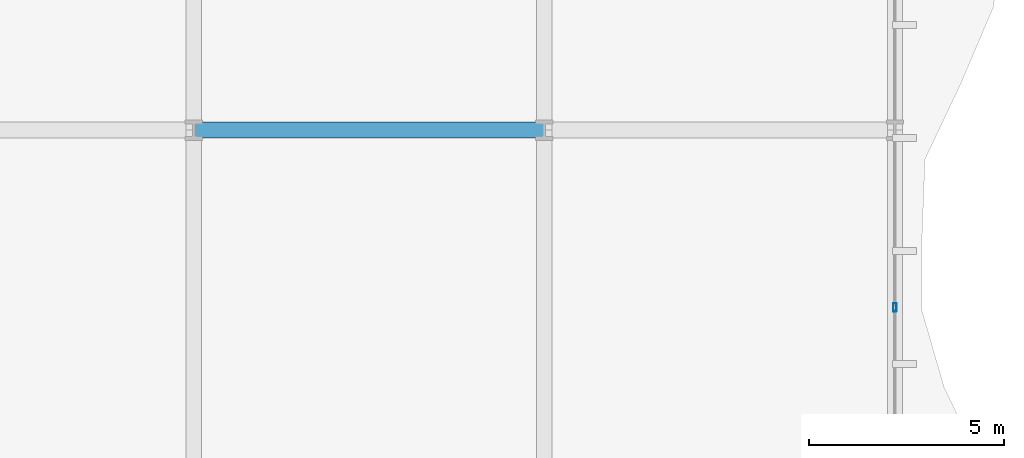
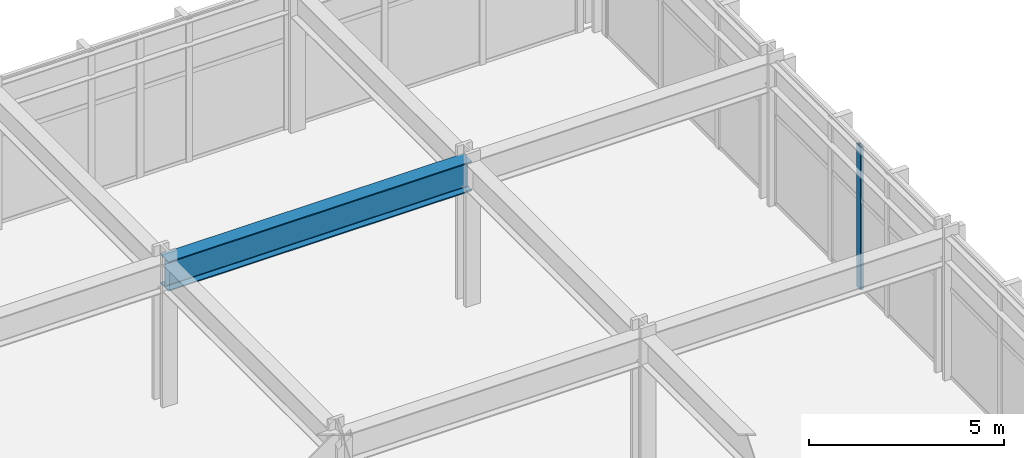
# One storey, part 15 of 29: 1 beam, 1 member, 1 element without a shape of its own.
"""IFC4 building model written with IfcOpenShell, lengths in metres."""

from ifc_helpers import new_model, si_unit, direction, frame, origin, origin_2d, place, context, subcontext, project, spatial, hollow_rectangle, i_section, extrude, material, layer, layer_set, material_profile, profile_set, type_object, element, aggregate, save


model = new_model("IFC4")

# Units and contexts
model_context = context("Model", 3, precision=1e-05, world=origin(), true_north=direction((0.0, 1.0)))
body_context = subcontext(model_context, "Body", "Model", "MODEL_VIEW")
ifc_project = project(units=[si_unit("LENGTHUNIT", "METRE"), si_unit("AREAUNIT", "SQUARE_METRE"), si_unit("VOLUMEUNIT", "CUBIC_METRE"), si_unit("PLANEANGLEUNIT", "RADIAN"), si_unit("MASSUNIT", "GRAM", prefix="KILO")], contexts=[model_context])

# Site, building, storey
site_placement = place(None, origin())
site = spatial("IfcSite", under=ifc_project, at=site_placement, CompositionType="ELEMENT")
building_placement = place(site_placement, origin())
building = spatial("IfcBuilding", under=site, at=building_placement, Name="Solvaryn Broadcast Tower", CompositionType="ELEMENT")
storey_placement = place(building_placement, frame((0.0, 0.0, 21.199951171875)))
storey = spatial("IfcBuildingStorey", under=building, at=storey_placement, Name="L04", CompositionType="ELEMENT", Elevation=21.199951171875)

# Beam
ifc_material_1 = material(Name="Steel ASTM A992 Grade 50", Category="steel")
ifc_material_profile_1 = material_profile(ifc_material_1, i_section(OverallWidth=0.41796875, OverallDepth=0.927001953125, WebThickness=0.019287109375, FlangeThickness=0.031982421875, FilletRadius=0.02392578125, at=origin_2d()))
ifc_profile_set_1 = profile_set([ifc_material_profile_1], Name="Steel ASTM A992 Grade 50")
beam_type = type_object("IfcBeamType", Name="BM-G2-W36X231", PredefinedType="BEAM", material=ifc_profile_set_1)
beam_placement = place(storey_placement, frame((45.0, 45.0, 4.0166015625), z_axis=(1.0, 0.0, 0.0), x_axis=(0.0, 1.0, 0.0)))
element("IfcBeam", 1, at=beam_placement, inside=storey, type_object=beam_type, Name="L04 Primary Beam X (45-54 @ Y=45)", PredefinedType="BEAM", context=body_context, shape_type="SweptSolid", body=[
    extrude(i_section(OverallWidth=0.41796875, OverallDepth=0.927001953125, WebThickness=0.019287109375, FlangeThickness=0.031982421875, FilletRadius=0.02392578125, at=origin_2d()), origin(), (0.0, 0.0, 1.0), 9.0),
])

# Curtain wall, member
ifc_material_2 = material(Name="Aluminium and Terracotta Unitised Curtain Wall", Category="masonry")
ifc_layer = layer(ifc_material_2, 0.219970703125)
ifc_layer_set = layer_set([ifc_layer], Name="CW-SYS1-PODIUM")
curtain_wall_type = type_object("IfcCurtainWallType", Name="CW-SYS1-PODIUM", PredefinedType="NOTDEFINED", material=ifc_layer_set)
curtain_wall_placement = place(storey_placement, origin())
curtain_wall = element("IfcCurtainWall", 2, at=curtain_wall_placement, inside=storey, type_object=curtain_wall_type, Name="L04 Podium Curtain Wall E1", PredefinedType="NOTDEFINED")
ifc_material_3 = material(Name="Anodised Aluminium 6063-T6", Category="aluminium")
ifc_material_profile_2 = material_profile(ifc_material_3, hollow_rectangle(XDim=0.0849609375, YDim=0.219970703125, WallThickness=0.0048828125, InnerFilletRadius=0.0048828125, OuterFilletRadius=0.010009765625, at=origin_2d()))
ifc_profile_set_2 = profile_set([ifc_material_profile_2], Name="Anodised Aluminium 6063-T6")
member_type = type_object("IfcMemberType", Name="CW-MUL-220", PredefinedType="MULLION", material=ifc_profile_set_2)
member_placement = place(storey_placement, frame((63.0, 40.449951171875, 0.0), z_axis=(0.0, 0.0, 1.0), x_axis=(1.0, 0.0, 0.0)))
member = element("IfcMember", 3, at=member_placement, type_object=member_type, Name="CWS1 mullion 2", PredefinedType="MULLION", context=body_context, shape_type="SweptSolid", body=[
    extrude(hollow_rectangle(XDim=0.0849609375, YDim=0.219970703125, WallThickness=0.0048828125, InnerFilletRadius=0.0048828125, OuterFilletRadius=0.010009765625, at=origin_2d()), origin(), (0.0, 0.0, 1.0), 4.47998046875),
])
aggregate(curtain_wall, [member])

save(model, "model.ifc")
